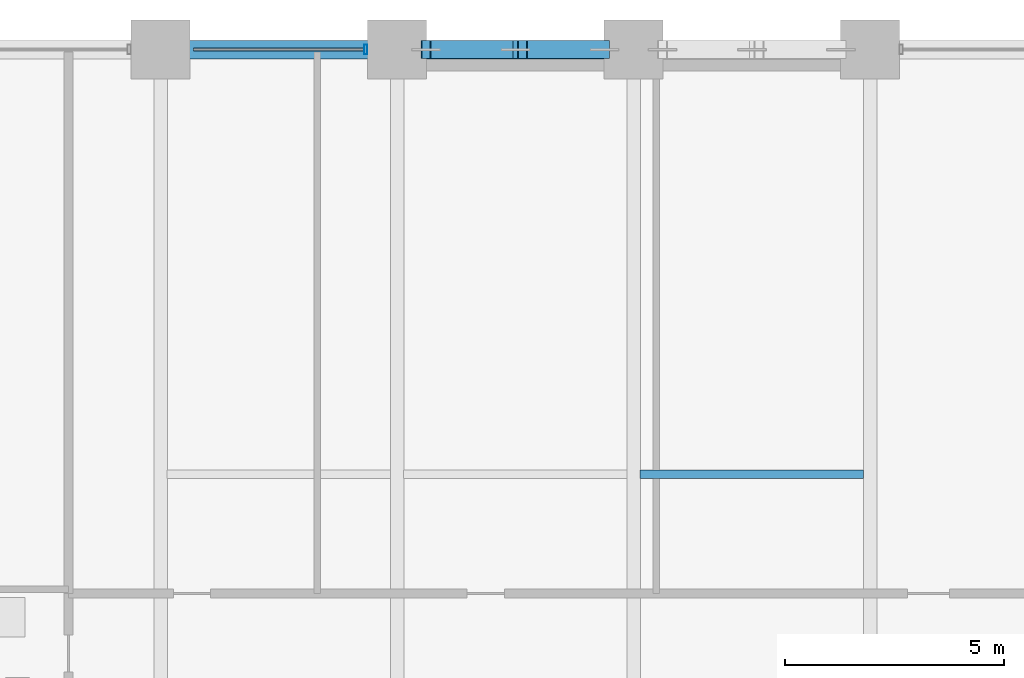
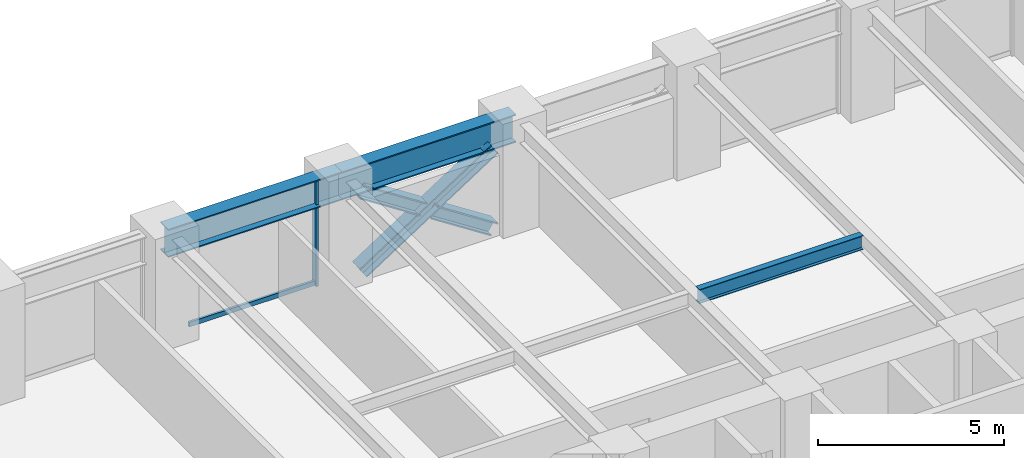
# One storey, part 13 of 25: 5 members, 3 beams, 1 element without a shape of its own.
"""IFC4 building model written with IfcOpenShell, lengths in metres."""

from ifc_helpers import new_model, si_unit, direction, frame, origin, origin_2d, place, context, subcontext, project, spatial, hollow_rectangle, i_section, extrude, material, layer, layer_set, material_profile, profile_set, type_object, element, aggregate, save


model = new_model("IFC4")

# Units and contexts
model_context = context("Model", 3, precision=1e-05, world=origin(), true_north=direction((0.0, 1.0)))
body_context = subcontext(model_context, "Body", "Model", "MODEL_VIEW")
ifc_project = project(units=[si_unit("LENGTHUNIT", "METRE"), si_unit("AREAUNIT", "SQUARE_METRE"), si_unit("VOLUMEUNIT", "CUBIC_METRE"), si_unit("PLANEANGLEUNIT", "RADIAN"), si_unit("MASSUNIT", "GRAM", prefix="KILO")], contexts=[model_context])

# Site, building, storey
site_placement = place(None, origin())
site = spatial("IfcSite", under=ifc_project, at=site_placement, CompositionType="ELEMENT")
building_placement = place(site_placement, origin())
building = spatial("IfcBuilding", under=site, at=building_placement, Name="Surkhivell Harbour Commons", CompositionType="ELEMENT")
storey_placement = place(building_placement, frame((0.0, 0.0, 52.5)))
storey = spatial("IfcBuildingStorey", under=building, at=storey_placement, Name="L13", CompositionType="ELEMENT", Elevation=52.5)

# Beams
ifc_material_1 = material(Name="Steel S355", Category="steel")
ifc_material_profile_1 = material_profile(ifc_material_1, i_section(OverallWidth=0.19189453125, OverallDepth=0.462890625, WebThickness=0.010498046875, FlangeThickness=0.017578125, at=origin_2d()), Name="UB457x191x89")
ifc_profile_set_1 = profile_set([ifc_material_profile_1], Name="Steel S355")
beam_type_1 = type_object("IfcBeamType", Name="BM-JST-457A", PredefinedType="JOIST", material=ifc_profile_set_1)
beam_1_placement = place(storey_placement, frame((0.151611328125, 16.199951171875, 3.33837890625), z_axis=(1.0, 0.0, 0.0), x_axis=(0.0, 1.0, 0.0)))
element("IfcBeam", 1, at=beam_1_placement, inside=storey, type_object=beam_type_1, Name="L13 North Composite Joist (0.0)", PredefinedType="JOIST", context=body_context, shape_type="SweptSolid", body=[
    extrude(i_section(OverallWidth=0.19189453125, OverallDepth=0.462890625, WebThickness=0.010498046875, FlangeThickness=0.017578125, at=origin_2d()), origin(), (0.0, 0.0, 1.0), 5.096923828125),
])
ifc_material_2 = material(Name="Steel S460", Category="steel")
ifc_material_profile_2 = material_profile(ifc_material_2, i_section(OverallWidth=0.419921875, OverallDepth=0.9208984375, WebThickness=0.021484375, FlangeThickness=0.03662109375, at=origin_2d()), Name="UB914x419x388")
ifc_profile_set_2 = profile_set([ifc_material_profile_2], Name="Steel S460")
beam_type_2 = type_object("IfcBeamType", Name="BM-SPN-914A", PredefinedType="SPANDREL", material=ifc_profile_set_2)
beam_2_placement = place(storey_placement, frame((-10.800048828125, 25.89990234375, 3.109619140625), z_axis=(1.0, 0.0, 0.0), x_axis=(0.0, 1.0, 0.0)))
element("IfcBeam", 2, at=beam_2_placement, inside=storey, type_object=beam_type_2, Name="L13 Tube Spandrel (-10.8,25.9)", PredefinedType="SPANDREL", context=body_context, shape_type="SweptSolid", body=[
    extrude(i_section(OverallWidth=0.419921875, OverallDepth=0.9208984375, WebThickness=0.021484375, FlangeThickness=0.03662109375, at=origin_2d()), origin(), (0.0, 0.0, 1.0), 5.400146484375),
])
beam_3_placement = place(storey_placement, frame((-5.39990234375, 25.89990234375, 3.109619140625), z_axis=(1.0, 0.0, 0.0), x_axis=(0.0, 1.0, 0.0)))
element("IfcBeam", 3, at=beam_3_placement, inside=storey, type_object=beam_type_2, Name="L13 Tube Spandrel (-5.4,25.9)", PredefinedType="SPANDREL", context=body_context, shape_type="SweptSolid", body=[
    extrude(i_section(OverallWidth=0.419921875, OverallDepth=0.9208984375, WebThickness=0.021484375, FlangeThickness=0.03662109375, at=origin_2d()), origin(), (0.0, 0.0, 1.0), 5.39990234375),
])

# Curtain wall, members
ifc_material_3 = material(Name="Anodised pale-metal aluminium and insulated glazing", Category="aluminium")
ifc_layer = layer(ifc_material_3, 0.219970703125)
ifc_layer_set = layer_set([ifc_layer], Name="Anodised pale-metal aluminium and insulated glazing")
curtain_wall_type = type_object("IfcCurtainWallType", Name="CW-SYS-Z1", PredefinedType="NOTDEFINED", material=ifc_layer_set)
curtain_wall_placement = place(storey_placement, origin())
curtain_wall = element("IfcCurtainWall", 4, at=curtain_wall_placement, inside=storey, type_object=curtain_wall_type, Name="L13 Curtain Wall CW-L13-E07S2", PredefinedType="NOTDEFINED")
ifc_material_4 = material(Name="Anodised pale-metal aluminium alloy 6063-T6", Category="aluminium")
ifc_material_profile_3 = material_profile(ifc_material_4, hollow_rectangle(XDim=0.074951171875, YDim=0.219970703125, WallThickness=0.00390625, at=origin_2d()), Name="ALU-MULL-75x220")
ifc_profile_set_3 = profile_set([ifc_material_profile_3], Name="Anodised pale-metal aluminium alloy 6063-T6")
member_type_1 = type_object("IfcMemberType", Name="CWM-220", PredefinedType="MULLION", material=ifc_profile_set_3)
member_1_placement = place(storey_placement, frame((-6.114501953125, 25.89990234375, 0.0), z_axis=(0.0, 0.0, 1.0), x_axis=(-1.0, 0.0, 0.0)))
member_1 = element("IfcMember", 5, at=member_1_placement, type_object=member_type_1, Name="CW-Z1 mullion 1", PredefinedType="MULLION", context=body_context, shape_type="SweptSolid", body=[
    extrude(hollow_rectangle(XDim=0.074951171875, YDim=0.219970703125, WallThickness=0.00390625, at=origin_2d()), origin(), (0.0, 0.0, 1.0), 3.570068359375),
])
ifc_material_profile_4 = material_profile(ifc_material_4, hollow_rectangle(XDim=0.074951171875, YDim=0.14990234375, WallThickness=0.00341796875, at=origin_2d()), Name="ALU-TRAN-75x150")
ifc_profile_set_4 = profile_set([ifc_material_profile_4], Name="Anodised pale-metal aluminium alloy 6063-T6")
member_type_2 = type_object("IfcMemberType", Name="CWT-150", PredefinedType="USERDEFINED", material=ifc_profile_set_4)
member_2_placement = place(storey_placement, frame((-6.152099609375, 25.89990234375, 0.074951171875), z_axis=(-1.0, 0.0, 0.0), x_axis=(0.0, -1.0, 0.0)))
member_2 = element("IfcMember", 6, at=member_2_placement, type_object=member_type_2, Name="CW-Z1 transom 1.1", ObjectType="TRANSOM", PredefinedType="USERDEFINED", context=body_context, shape_type="SweptSolid", body=[
    extrude(hollow_rectangle(XDim=0.074951171875, YDim=0.14990234375, WallThickness=0.00341796875, at=origin_2d()), origin(), (0.0, 0.0, 1.0), 3.89599609375),
])
aggregate(curtain_wall, [member_1, member_2])

# Members
ifc_material_profile_5 = material_profile(ifc_material_2, i_section(OverallWidth=0.406005859375, OverallDepth=0.416015625, WebThickness=0.026611328125, FlangeThickness=0.0390625, at=origin_2d()), Name="HD400x382")
ifc_profile_set_5 = profile_set([ifc_material_profile_5], Name="Steel S460")
member_type_3 = type_object("IfcMemberType", Name="MEM-BRC-HD382", PredefinedType="BRACE", material=ifc_profile_set_5)
member_3_placement = place(storey_placement, frame((-4.739990234375, 25.89990234375, 0.008056640625), z_axis=(0.83910375559, 0.0, 0.543971403067), x_axis=(0.0, 1.0, 0.0)))
element("IfcMember", 7, at=member_3_placement, inside=storey, type_object=member_type_3, Name="L13 Perimeter Mega-Brace MB- 01", PredefinedType="BRACE", context=body_context, shape_type="SweptSolid", body=[
    extrude(i_section(OverallWidth=0.406005859375, OverallDepth=0.416015625, WebThickness=0.026611328125, FlangeThickness=0.0390625, at=origin_2d()), origin(), (0.0, 0.0, 1.0), 4.8623046875),
])
member_4_placement = place(storey_placement, frame((-0.659912109375, 25.89990234375, 0.008056640625), z_axis=(-0.839117847051, 0.0, 0.54394966565), x_axis=(0.0, -1.0, 0.0)))
element("IfcMember", 8, at=member_4_placement, inside=storey, type_object=member_type_3, Name="L13 Perimeter Mega-Brace MB- 02", PredefinedType="BRACE", context=body_context, shape_type="SweptSolid", body=[
    extrude(i_section(OverallWidth=0.406005859375, OverallDepth=0.416015625, WebThickness=0.026611328125, FlangeThickness=0.0390625, at=origin_2d()), origin(), (0.0, 0.0, 1.0), 2.231689453125),
])
member_5_placement = place(storey_placement, frame((-2.86767578125, 25.89990234375, 1.439208984375), z_axis=(-0.83908547242, 0.0, 0.543999604756), x_axis=(0.0, -1.0, 0.0)))
element("IfcMember", 9, at=member_5_placement, inside=storey, type_object=member_type_3, Name="L13 Perimeter Mega-Brace MB- 03", PredefinedType="BRACE", context=body_context, shape_type="SweptSolid", body=[
    extrude(i_section(OverallWidth=0.406005859375, OverallDepth=0.416015625, WebThickness=0.026611328125, FlangeThickness=0.0390625, at=origin_2d()), origin(), (0.0, 0.0, 1.0), 2.2314453125),
])

save(model, "model.ifc")
